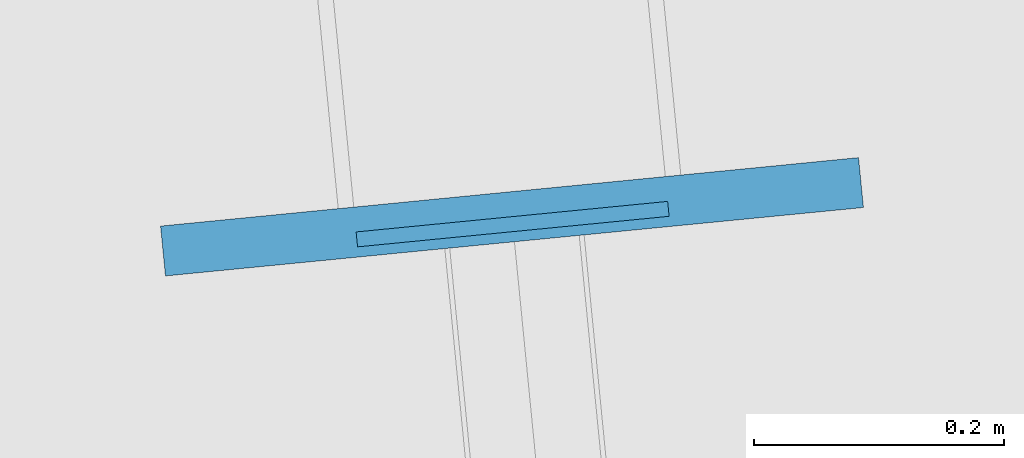
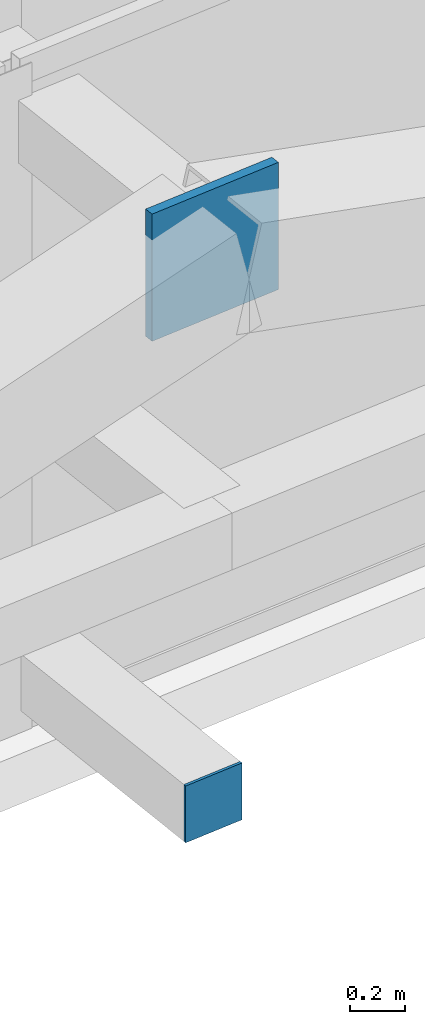
# One storey, part 39 of 53: 2 plates.
"""IFC4 building model written with IfcOpenShell, lengths in metres."""

from ifc_helpers import new_model, si_unit, direction, frame, origin, origin_2d, place, context, subcontext, project, spatial, rectangle, extrude, source, transform, mapped, material, layer, layer_set, type_object, element, save


model = new_model("IFC4")

# Units and contexts
model_context = context("Model", 3, precision=1e-05, world=origin(), true_north=direction((0.0, 1.0)))
body_context = subcontext(model_context, "Body", "Model", "MODEL_VIEW")
ifc_project = project(units=[si_unit("LENGTHUNIT", "METRE"), si_unit("AREAUNIT", "SQUARE_METRE"), si_unit("VOLUMEUNIT", "CUBIC_METRE"), si_unit("PLANEANGLEUNIT", "RADIAN"), si_unit("MASSUNIT", "GRAM", prefix="KILO")], contexts=[model_context])

# Site, building, storey
site_placement = place(None, origin())
site = spatial("IfcSite", under=ifc_project, at=site_placement, CompositionType="ELEMENT")
building_placement = place(site_placement, origin())
building = spatial("IfcBuilding", under=site, at=building_placement, Name="Taldren Reach Tower", CompositionType="ELEMENT")
storey_placement = place(building_placement, frame((0.0, 0.0, 84.0)))
storey = spatial("IfcBuildingStorey", under=building, at=storey_placement, Name="L25", CompositionType="ELEMENT", Elevation=84.0)

# Plates
ifc_material_1 = material(Name="Steel Gr 450 (C450L0)", Category="steel")
ifc_layer_1 = layer(ifc_material_1, 0.0400390625)
ifc_layer_set_1 = layer_set([ifc_layer_1], Name="Steel Gr 450 (C450L0)")
plate_type_1 = type_object("IfcPlateType", Name="PL-GUSSET-40", PredefinedType="SHEET", material=ifc_layer_set_1)
shared_shape_1 = source(origin(), body_context, "Body", "SweptSolid", [
    extrude(rectangle(XDim=0.56005859375, YDim=0.0400390625, at=origin_2d()), origin(), (0.0, 0.0, 1.0), 0.56005859375),
])
plate_1_placement = place(storey_placement, frame((34.35302734375, 0.2666015625, 2.369873046875), z_axis=(0.0, 0.0, 1.0), x_axis=(0.995227399982, 0.097582899759, 0.0)))
element("IfcPlate", 1, at=plate_1_placement, inside=storey, type_object=plate_type_1, Name="Exoskeleton star-node gusset plate B2-S3 L25", PredefinedType="SHEET", context=body_context, shape_type="MappedRepresentation", body=[
    mapped(shared_shape_1, transform((0.0, 0.0, 0.0), scale=1.0)),
])
ifc_material_2 = material(Name="Steel Gr 350 (C350L0)", Category="steel")
ifc_layer_2 = layer(ifc_material_2, 0.011962890625)
ifc_layer_set_2 = layer_set([ifc_layer_2], Name="Steel Gr 350 (C350L0)")
plate_type_2 = type_object("IfcPlateType", Name="PL-CAP-250", PredefinedType="SHEET", material=ifc_layer_set_2)
shared_shape_2 = source(origin(), body_context, "Body", "SweptSolid", [
    extrude(rectangle(XDim=0.25, YDim=0.011962890625, at=origin_2d()), origin(), (0.0, 0.0, 1.0), 0.25),
])
plate_2_placement = place(storey_placement, frame((34.353515625, 0.2607421875, 0.094970703125), z_axis=(0.0, 0.0, 1.0), x_axis=(0.995227399982, 0.097582899759, 0.0)))
element("IfcPlate", 2, at=plate_2_placement, inside=storey, type_object=plate_type_2, Name="Tie strut end cap plate B2-S3 L25", PredefinedType="SHEET", context=body_context, shape_type="MappedRepresentation", body=[
    mapped(shared_shape_2, transform((0.0, 0.0, 0.0), scale=1.0)),
])

save(model, "model.ifc")
